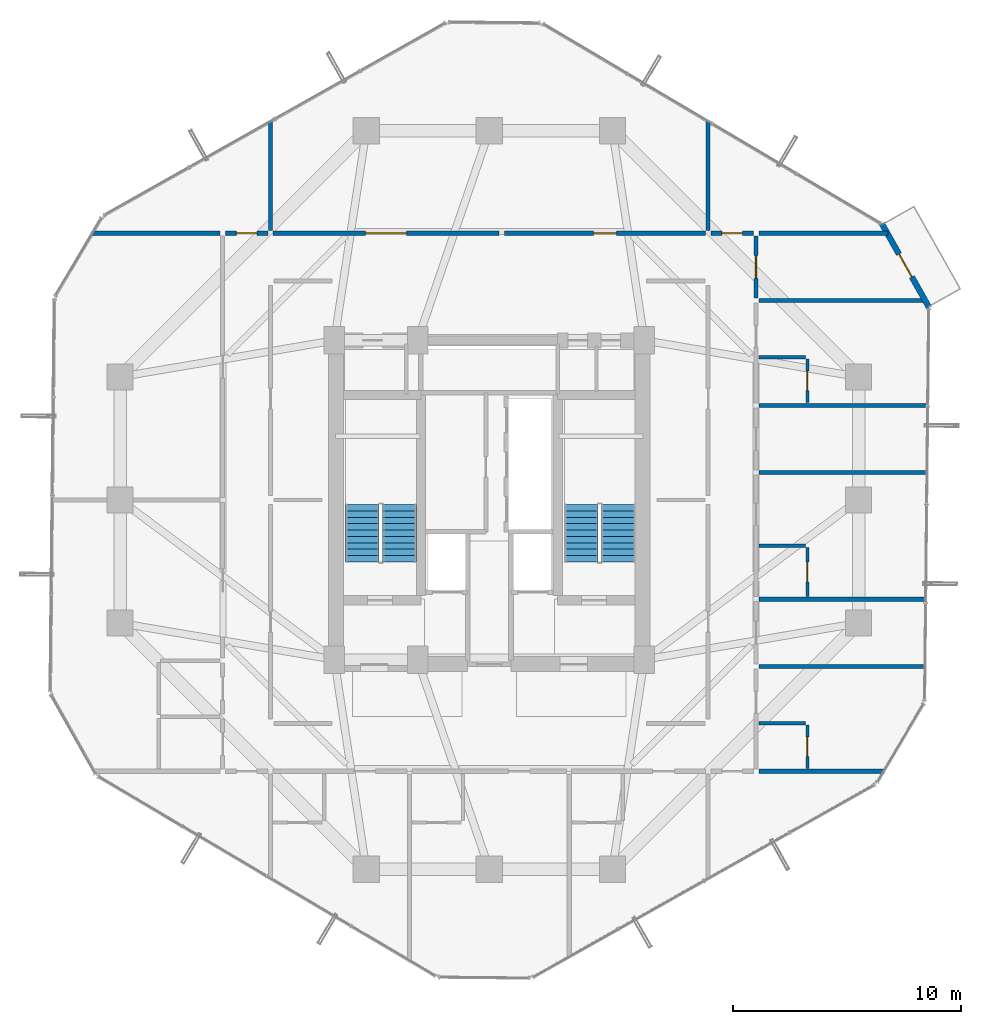
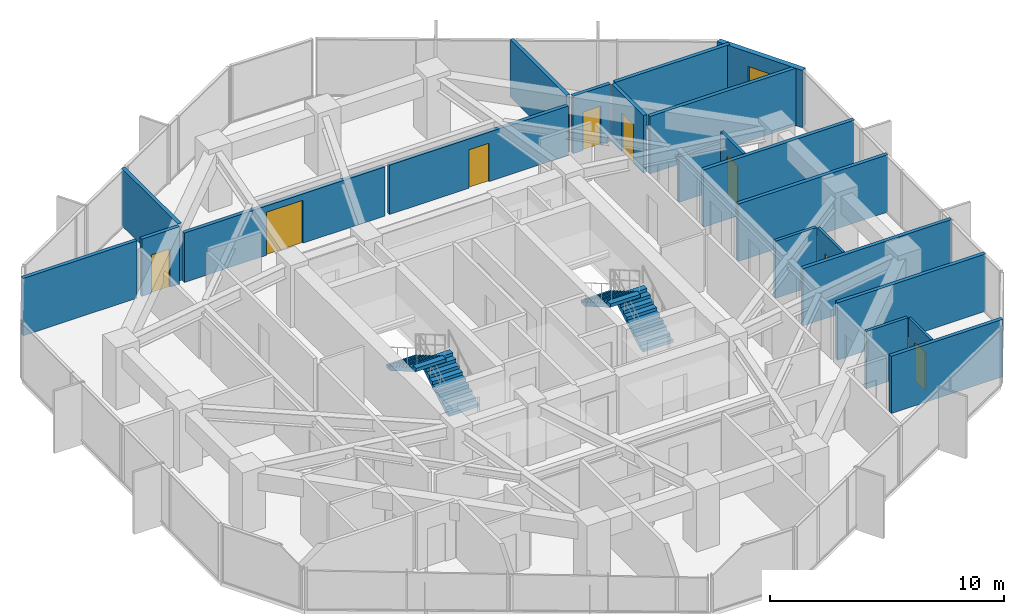
# One storey, part 28 of 30: 22 walls, 9 doors, 4 stair flights, 9 openings, 2 elements without a shape of their own.
"""IFC4 building model written with IfcOpenShell, lengths in metres."""

from ifc_helpers import new_model, si_unit, direction, frame, frame_2d, origin, place, context, subcontext, project, spatial, polyline, rectangle, outline, extrude, source, transform, mapped, material, layer, layer_set, type_object, element, fill, aggregate, save


model = new_model("IFC4")

# Units and contexts
model_context = context("Model", 3, precision=1e-05, world=origin(), true_north=direction((0.0, 1.0)))
body_context = subcontext(model_context, "Body", "Model", "MODEL_VIEW")
ifc_project = project(units=[si_unit("LENGTHUNIT", "METRE"), si_unit("AREAUNIT", "SQUARE_METRE"), si_unit("VOLUMEUNIT", "CUBIC_METRE"), si_unit("PLANEANGLEUNIT", "RADIAN"), si_unit("MASSUNIT", "GRAM", prefix="KILO")], contexts=[model_context])

# Site, building, storey
site_placement = place(None, origin())
site = spatial("IfcSite", under=ifc_project, at=site_placement, CompositionType="ELEMENT")
building_placement = place(site_placement, origin())
building = spatial("IfcBuilding", under=site, at=building_placement, Name="Veraguas Prism Commons", CompositionType="ELEMENT")
storey_placement = place(building_placement, frame((0.0, 0.0, 126.25)))
storey = spatial("IfcBuildingStorey", under=building, at=storey_placement, Name="L35", CompositionType="ELEMENT", Elevation=126.25)

# Walls
ifc_material_1 = material(Name="Autoclaved aerated masonry block 10 MPa", Category="masonry")
ifc_layer_1 = layer(ifc_material_1, 0.179931640625, Name="Corridor and Inter-Tenancy Partition 180", Category="masonry")
ifc_layer_set_1 = layer_set([ifc_layer_1], Name="Autoclaved aerated masonry block 10 MPa")
wall_type_1 = type_object("IfcWallType", Name="Corridor and Inter-Tenancy Partition 180", PredefinedType="PARTITIONING", material=ifc_layer_set_1)
for number, where, z_axis, x_axis, name in (
    (1, (14.39990234375, 35.820068359375, 0.0), (0.0, 0.0, 1.0), (0.0, 1.0, 0.0), "WL-L35-PT014"),
    (2, (33.60009765625, 35.820068359375, 0.0), (0.0, 0.0, 1.0), (0.0, 1.0, 0.0), "WL-L35-PT015"),
):
    element("IfcWall", number, at=place(storey_placement, frame(where, z_axis=z_axis, x_axis=x_axis)), inside=storey, type_object=wall_type_1, Name=name, PredefinedType="PARTITIONING", context=body_context, shape_type="SweptSolid", body=[
        extrude(rectangle(XDim=4.8232421875, YDim=0.179931640625, at=frame_2d((2.41162109375, 0.0))), origin(), (0.0, 0.0, 1.0), 3.0),
    ])

# Wall, opening, door
wall_1_placement = place(storey_placement, frame((14.510009765625, 35.699951171875, 0.0), z_axis=(0.0, 0.0, 1.0), x_axis=(1.0, 0.0, 0.0)))
wall_1 = element("IfcWall", 3, at=wall_1_placement, inside=storey, type_object=wall_type_1, Name="WL-L35-PT016", PredefinedType="PARTITIONING", context=body_context, shape_type="SweptSolid", body=[
    extrude(rectangle(XDim=9.924072265625, YDim=0.179931640625, at=frame_2d((4.9619140625, 0.0))), origin(), (0.0, 0.0, 1.0), 2.580078125),
])
opening_1_placement = place(wall_1_placement, frame((4.06201171875, 0.0, 0.0)))
opening_1 = element("IfcOpeningElement", 4, at=opening_1_placement, cuts=wall_1, Name="Opening DR-07", PredefinedType="OPENING", context=body_context, shape_type="SweptSolid", body=[
    extrude(rectangle(XDim=1.800048828125, YDim=2.25, at=frame_2d((0.89990234375, 1.125))), frame((0.0, 0.099853515625, 0.0), z_axis=(0.0, -1.0, 0.0), x_axis=(1.0, 0.0, 0.0)), (0.0, 0.0, 1.0), 0.199951171875),
])
ifc_material_2 = material(Name="Steel fire-rated door assembly", Category="steel")
door_type_1 = type_object("IfcDoorType", Name="Corridor Double Fire Door 1800x2250", OperationType="NOTDEFINED", PredefinedType="DOOR", material=ifc_material_2)
shared_shape_1 = source(origin(), body_context, "Body", "SweptSolid", [
    extrude(rectangle(XDim=1.800048828125, YDim=2.25, at=frame_2d((0.89990234375, 1.125))), frame((0.0, 0.02490234375, 0.0), z_axis=(0.0, -1.0, 0.0), x_axis=(1.0, 0.0, 0.0)), (0.0, 0.0, 1.0), 0.050048828125),
])
door_1_placement = place(opening_1_placement, origin())
door_1 = element("IfcDoor", 5, at=door_1_placement, inside=storey, type_object=door_type_1, Name="Residents Co-op Library and Reading Hall Door 1", OperationType="SINGLE_SWING_LEFT", OverallHeight=2.25, OverallWidth=1.800048828125, PredefinedType="DOOR", context=body_context, shape_type="MappedRepresentation", body=[
    mapped(shared_shape_1, transform((0.0, 0.0, 0.0), scale=1.0)),
])
fill(opening_1, door_1)

wall_2_placement = place(storey_placement, frame((24.654052734375, 35.699951171875, 0.0), z_axis=(0.0, 0.0, 1.0), x_axis=(1.0, 0.0, 0.0)))
wall_2 = element("IfcWall", 6, at=wall_2_placement, inside=storey, type_object=wall_type_1, Name="WL-L35-PT017", PredefinedType="PARTITIONING", context=body_context, shape_type="SweptSolid", body=[
    extrude(rectangle(XDim=8.8359375, YDim=0.179931640625, at=frame_2d((4.41796875, 0.0))), origin(), (0.0, 0.0, 1.0), 2.580078125),
])
opening_2_placement = place(wall_2_placement, frame((3.91796875, 0.0, 0.0)))
opening_2 = element("IfcOpeningElement", 7, at=opening_2_placement, cuts=wall_2, Name="Opening DR-13", PredefinedType="OPENING", context=body_context, shape_type="SweptSolid", body=[
    extrude(rectangle(XDim=1.0, YDim=2.010009765625, at=frame_2d((0.5, 1.0048828125))), frame((0.0, 0.099853515625, 0.0), z_axis=(0.0, -1.0, 0.0), x_axis=(1.0, 0.0, 0.0)), (0.0, 0.0, 1.0), 0.199951171875),
])
door_type_2 = type_object("IfcDoorType", Name="Core Accessible WC and Clinic Fire Door 1000x2010", OperationType="NOTDEFINED", PredefinedType="DOOR", material=ifc_material_2)
shared_shape_2 = source(origin(), body_context, "Body", "SweptSolid", [
    extrude(rectangle(XDim=1.0, YDim=2.010009765625, at=frame_2d((0.5, 1.0048828125))), frame((0.0, 0.02490234375, 0.0), z_axis=(0.0, -1.0, 0.0), x_axis=(1.0, 0.0, 0.0)), (0.0, 0.0, 1.0), 0.050048828125),
])
door_2_placement = place(opening_2_placement, origin())
door_2 = element("IfcDoor", 8, at=door_2_placement, inside=storey, type_object=door_type_2, Name="Residents Co-op Library and Reading Hall Door 2", OperationType="SINGLE_SWING_RIGHT", OverallHeight=2.010009765625, OverallWidth=1.0, PredefinedType="DOOR", context=body_context, shape_type="MappedRepresentation", body=[
    mapped(shared_shape_2, transform((0.0, 0.0, 0.0), scale=1.0)),
])
fill(opening_2, door_2)

# Walls
wall_3_placement = place(storey_placement, frame((12.179931640625, 35.699951171875, 0.0), z_axis=(0.0, 0.0, 1.0), x_axis=(-1.0, 0.0, 0.0)))
element("IfcWall", 9, at=wall_3_placement, inside=storey, type_object=wall_type_1, Name="WL-L35-PT019", PredefinedType="PARTITIONING", context=body_context, shape_type="SweptSolid", body=[
    extrude(rectangle(XDim=5.63623046875, YDim=0.179931640625, at=frame_2d((2.818115234375, 0.0))), origin(), (0.0, 0.0, 1.0), 3.0),
])
wall_4_placement = place(storey_placement, frame((35.820068359375, 12.10009765625, 0.0), z_axis=(0.0, 0.0, 1.0), x_axis=(1.0, 0.0, 0.0)))
element("IfcWall", 10, at=wall_4_placement, inside=storey, type_object=wall_type_1, Name="WL-L35-PT029", PredefinedType="PARTITIONING", context=body_context, shape_type="SweptSolid", body=[
    extrude(rectangle(XDim=5.517822265625, YDim=0.179931640625, at=frame_2d((2.7587890625, 0.0))), origin(), (0.0, 0.0, 1.0), 3.0),
])
wall_5_placement = place(storey_placement, frame((35.820068359375, 35.699951171875, 0.0), z_axis=(0.0, 0.0, 1.0), x_axis=(1.0, 0.0, 0.0)))
element("IfcWall", 11, at=wall_5_placement, inside=storey, type_object=wall_type_1, Name="WL-L35-PT030", PredefinedType="PARTITIONING", context=body_context, shape_type="SweptSolid", body=[
    extrude(rectangle(XDim=5.669921875, YDim=0.179931640625, at=frame_2d((2.8349609375, 0.0))), origin(), (0.0, 0.0, 1.0), 3.0),
])
wall_6_placement = place(storey_placement, frame((35.820068359375, 16.697998046875, 0.0), z_axis=(0.0, 0.0, 1.0), x_axis=(1.0, 0.0, 0.0)))
element("IfcWall", 12, at=wall_6_placement, inside=storey, type_object=wall_type_1, Name="WL-L35-PT032", PredefinedType="PARTITIONING", context=body_context, shape_type="SweptSolid", body=[
    extrude(rectangle(XDim=7.31689453125, YDim=0.179931640625, at=frame_2d((3.658447265625, 0.0))), origin(), (0.0, 0.0, 1.0), 3.0),
])
wall_7_placement = place(storey_placement, frame((35.820068359375, 19.64794921875, 0.0), z_axis=(0.0, 0.0, 1.0), x_axis=(1.0, 0.0, 0.0)))
element("IfcWall", 13, at=wall_7_placement, inside=storey, type_object=wall_type_1, Name="WL-L35-PT036", PredefinedType="PARTITIONING", context=body_context, shape_type="SweptSolid", body=[
    extrude(rectangle(XDim=7.347900390625, YDim=0.179931640625, at=frame_2d((3.673828125, 0.0))), origin(), (0.0, 0.0, 1.0), 3.0),
])
wall_8_placement = place(storey_placement, frame((35.820068359375, 25.201904296875, 0.0), z_axis=(0.0, 0.0, 1.0), x_axis=(1.0, 0.0, 0.0)))
element("IfcWall", 14, at=wall_8_placement, inside=storey, type_object=wall_type_1, Name="WL-L35-PT038", PredefinedType="PARTITIONING", context=body_context, shape_type="SweptSolid", body=[
    extrude(rectangle(XDim=7.406005859375, YDim=0.179931640625, at=frame_2d((3.703125, 0.0))), origin(), (0.0, 0.0, 1.0), 3.0),
])
wall_9_placement = place(storey_placement, frame((35.820068359375, 28.152099609375, 0.0), z_axis=(0.0, 0.0, 1.0), x_axis=(1.0, 0.0, 0.0)))
element("IfcWall", 15, at=wall_9_placement, inside=storey, type_object=wall_type_1, Name="WL-L35-PT042", PredefinedType="PARTITIONING", context=body_context, shape_type="SweptSolid", body=[
    extrude(rectangle(XDim=7.43701171875, YDim=0.179931640625, at=frame_2d((3.718505859375, 0.0))), origin(), (0.0, 0.0, 1.0), 3.0),
])

# Wall, opening, door
wall_10_placement = place(storey_placement, frame((35.699951171875, 32.860107421875, 0.0), z_axis=(0.0, 0.0, 1.0), x_axis=(0.0, 1.0, 0.0)))
wall_10 = element("IfcWall", 16, at=wall_10_placement, inside=storey, type_object=wall_type_1, Name="WL-L35-PT043", PredefinedType="PARTITIONING", context=body_context, shape_type="SweptSolid", body=[
    extrude(rectangle(XDim=2.72998046875, YDim=0.179931640625, at=frame_2d((1.364990234375, 0.0))), origin(), (0.0, 0.0, 1.0), 3.0),
])
opening_3_placement = place(wall_10_placement, frame((0.864990234375, 0.0, 0.0)))
opening_3 = element("IfcOpeningElement", 17, at=opening_3_placement, cuts=wall_10, Name="Opening DR-13", PredefinedType="OPENING", context=body_context, shape_type="SweptSolid", body=[
    extrude(rectangle(XDim=1.0, YDim=2.010009765625, at=frame_2d((0.5, 1.0048828125))), frame((0.0, 0.099853515625, 0.0), z_axis=(0.0, -1.0, 0.0), x_axis=(1.0, 0.0, 0.0)), (0.0, 0.0, 1.0), 0.199951171875),
])
door_3_placement = place(opening_3_placement, origin())
door_3 = element("IfcDoor", 18, at=door_3_placement, inside=storey, type_object=door_type_2, Name="Quiet Study E Door", OperationType="SINGLE_SWING_LEFT", OverallHeight=2.010009765625, OverallWidth=1.0, PredefinedType="DOOR", context=body_context, shape_type="MappedRepresentation", body=[
    mapped(shared_shape_2, transform((0.0, 0.0, 0.0), scale=1.0)),
])
fill(opening_3, door_3)

# Wall
wall_11_placement = place(storey_placement, frame((35.820068359375, 32.75, 0.0), z_axis=(0.0, 0.0, 1.0), x_axis=(1.0, 0.0, 0.0)))
element("IfcWall", 19, at=wall_11_placement, inside=storey, type_object=wall_type_1, Name="WL-L35-PT044", PredefinedType="PARTITIONING", context=body_context, shape_type="SweptSolid", body=[
    extrude(rectangle(XDim=7.33203125, YDim=0.179931640625, at=frame_2d((3.666015625, 0.0))), origin(), (0.0, 0.0, 1.0), 3.0),
])

# Wall, opening, door
wall_12_placement = place(storey_placement, frame((12.419921875, 35.699951171875, 0.0), z_axis=(0.0, 0.0, 1.0), x_axis=(1.0, 0.0, 0.0)))
wall_12 = element("IfcWall", 20, at=wall_12_placement, inside=storey, type_object=wall_type_1, Name="WL-L35-PT050", PredefinedType="PARTITIONING", context=body_context, shape_type="SweptSolid", body=[
    extrude(rectangle(XDim=1.860107421875, YDim=0.179931640625, at=frame_2d((0.93017578125, 0.0))), origin(), (0.0, 0.0, 1.0), 3.0),
])
opening_4_placement = place(wall_12_placement, frame((0.47998046875, 0.0, 0.0)))
opening_4 = element("IfcOpeningElement", 21, at=opening_4_placement, cuts=wall_12, Name="Opening DR-14", PredefinedType="OPENING", context=body_context, shape_type="SweptSolid", body=[
    extrude(rectangle(XDim=0.89990234375, YDim=2.010009765625, at=frame_2d((0.449951171875, 1.0048828125))), frame((0.0, 0.099853515625, 0.0), z_axis=(0.0, -1.0, 0.0), x_axis=(1.0, 0.0, 0.0)), (0.0, 0.0, 1.0), 0.199951171875),
])
door_type_3 = type_object("IfcDoorType", Name="Core Service Room Fire Door 900x2010", OperationType="NOTDEFINED", PredefinedType="DOOR", material=ifc_material_2)
shared_shape_3 = source(origin(), body_context, "Body", "SweptSolid", [
    extrude(rectangle(XDim=0.89990234375, YDim=2.010009765625, at=frame_2d((0.449951171875, 1.0048828125))), frame((0.0, 0.02490234375, 0.0), z_axis=(0.0, -1.0, 0.0), x_axis=(1.0, 0.0, 0.0)), (0.0, 0.0, 1.0), 0.050048828125),
])
door_4_placement = place(opening_4_placement, origin())
door_4 = element("IfcDoor", 22, at=door_4_placement, inside=storey, type_object=door_type_3, Name="Residents Cycle and Pram Store NW Door", OperationType="SINGLE_SWING_RIGHT", OverallHeight=2.010009765625, OverallWidth=0.89990234375, PredefinedType="DOOR", context=body_context, shape_type="MappedRepresentation", body=[
    mapped(shared_shape_3, transform((0.0, 0.0, 0.0), scale=1.0)),
])
fill(opening_4, door_4)

wall_13_placement = place(storey_placement, frame((33.719970703125, 35.699951171875, 0.0), z_axis=(0.0, 0.0, 1.0), x_axis=(1.0, 0.0, 0.0)))
wall_13 = element("IfcWall", 23, at=wall_13_placement, inside=storey, type_object=wall_type_1, Name="WL-L35-PT051", PredefinedType="PARTITIONING", context=body_context, shape_type="SweptSolid", body=[
    extrude(rectangle(XDim=1.860107421875, YDim=0.179931640625, at=frame_2d((0.93017578125, 0.0))), origin(), (0.0, 0.0, 1.0), 3.0),
])
opening_5_placement = place(wall_13_placement, frame((0.47998046875, 0.0, 0.0)))
opening_5 = element("IfcOpeningElement", 24, at=opening_5_placement, cuts=wall_13, Name="Opening DR-14", PredefinedType="OPENING", context=body_context, shape_type="SweptSolid", body=[
    extrude(rectangle(XDim=0.89990234375, YDim=2.010009765625, at=frame_2d((0.449951171875, 1.0048828125))), frame((0.0, 0.099853515625, 0.0), z_axis=(0.0, -1.0, 0.0), x_axis=(1.0, 0.0, 0.0)), (0.0, 0.0, 1.0), 0.199951171875),
])
door_5_placement = place(opening_5_placement, origin())
door_5 = element("IfcDoor", 25, at=door_5_placement, inside=storey, type_object=door_type_3, Name="Residents Corner Study Room NE Door", OperationType="SINGLE_SWING_LEFT", OverallHeight=2.010009765625, OverallWidth=0.89990234375, PredefinedType="DOOR", context=body_context, shape_type="MappedRepresentation", body=[
    mapped(shared_shape_3, transform((0.0, 0.0, 0.0), scale=1.0)),
])
fill(opening_5, door_5)

ifc_material_3 = material(Name="Precast concrete C40/50", Category="concrete")
ifc_layer_2 = layer(ifc_material_3, 0.25, Name="External Loggia and Portal Wall 250", Category="concrete")
ifc_layer_set_2 = layer_set([ifc_layer_2], Name="Precast concrete C40/50")
wall_type_2 = type_object("IfcWallType", Name="External Loggia and Portal Wall 250", PredefinedType="SOLIDWALL", material=ifc_layer_set_2)
wall_14_placement = place(storey_placement, frame((43.2919921875, 32.44091796875, 0.0), z_axis=(0.0, 0.0, 1.0), x_axis=(-0.490912790658, 0.871208718947, 0.0)))
wall_14 = element("IfcWall", 26, at=wall_14_placement, inside=storey, type_object=wall_type_2, Name="Corner Loggia Wall L35-C1", PredefinedType="SOLIDWALL", context=body_context, shape_type="SweptSolid", body=[
    extrude(rectangle(XDim=4.233154296875, YDim=0.25, at=frame_2d((2.11669921875, 0.0))), origin(), (0.0, 0.0, 1.0), 3.0),
])
opening_6_placement = place(wall_14_placement, frame((1.5419921875, 0.0, 0.0)))
opening_6 = element("IfcOpeningElement", 27, at=opening_6_placement, cuts=wall_14, Name="Opening DR-10", PredefinedType="OPENING", context=body_context, shape_type="SweptSolid", body=[
    extrude(rectangle(XDim=1.14990234375, YDim=2.25, at=frame_2d((0.574951171875, 1.125))), frame((0.0, 0.135009765625, 0.0), z_axis=(0.0, -1.0, 0.0), x_axis=(1.0, 0.0, 0.0)), (0.0, 0.0, 1.0), 0.27001953125),
])
ifc_material_4 = material(Name="Anodised aluminium EN AW-6063 T6", Category="aluminium")
door_type_4 = type_object("IfcDoorType", Name="Glazed Loggia and Terrace Door 1150x2250", OperationType="NOTDEFINED", PredefinedType="DOOR", material=ifc_material_4)
shared_shape_4 = source(origin(), body_context, "Body", "SweptSolid", [
    extrude(rectangle(XDim=1.14990234375, YDim=2.25, at=frame_2d((0.574951171875, 1.125))), frame((0.0, 0.02490234375, 0.0), z_axis=(0.0, -1.0, 0.0), x_axis=(1.0, 0.0, 0.0)), (0.0, 0.0, 1.0), 0.050048828125),
])
door_6_placement = place(opening_6_placement, frame((1.14990234375, 0.0, 0.0), z_axis=(0.0, 0.0, 1.0), x_axis=(-1.0, 0.0, 0.0)))
door_6 = element("IfcDoor", 28, at=door_6_placement, inside=storey, type_object=door_type_4, Name="Recessed Loggia Door L35-C1", OperationType="SINGLE_SWING_LEFT", OverallHeight=2.25, OverallWidth=1.14990234375, PredefinedType="DOOR", context=body_context, shape_type="MappedRepresentation", body=[
    mapped(shared_shape_4, transform((0.0, 0.0, 0.0), scale=1.0)),
])
fill(opening_6, door_6)

ifc_material_5 = material(Name="Lightweight acoustic gypsum board")
ifc_layer_3 = layer(ifc_material_5, 0.125, Name="Internal Apartment Room Partition 125")
ifc_layer_set_3 = layer_set([ifc_layer_3], Name="Lightweight acoustic gypsum board")
wall_type_3 = type_object("IfcWallType", Name="Internal Apartment Room Partition 125", PredefinedType="PARTITIONING", material=ifc_layer_set_3)
wall_15_placement = place(storey_placement, frame((37.949951171875, 12.219970703125, 0.0), z_axis=(0.0, 0.0, 1.0), x_axis=(0.0, 1.0, 0.0)))
wall_15 = element("IfcWall", 29, at=wall_15_placement, inside=storey, type_object=wall_type_3, Name="WL-L35-PT035", PredefinedType="PARTITIONING", context=body_context, shape_type="SweptSolid", body=[
    extrude(rectangle(XDim=1.9150390625, YDim=0.125, at=frame_2d((0.95751953125, 0.0))), origin(), (0.0, 0.0, 1.0), 3.0),
])
opening_7_placement = place(wall_15_placement, frame((0.527587890625, 0.0, 0.0)))
opening_7 = element("IfcOpeningElement", 30, at=opening_7_placement, cuts=wall_15, Name="Opening DR-03", PredefinedType="OPENING", context=body_context, shape_type="SweptSolid", body=[
    extrude(rectangle(XDim=0.860107421875, YDim=2.010009765625, at=frame_2d((0.43017578125, 1.0048828125))), frame((0.0, 0.072509765625, 0.0), z_axis=(0.0, -1.0, 0.0), x_axis=(1.0, 0.0, 0.0)), (0.0, 0.0, 1.0), 0.14501953125),
])
ifc_material_6 = material(Name="Timber moisture-resistant leaf", Category="wood")
door_type_5 = type_object("IfcDoorType", Name="Internal Bathroom Door 860x2010", OperationType="NOTDEFINED", PredefinedType="DOOR", material=ifc_material_6)
shared_shape_5 = source(origin(), body_context, "Body", "SweptSolid", [
    extrude(rectangle(XDim=0.860107421875, YDim=2.010009765625, at=frame_2d((0.43017578125, 1.0048828125))), frame((0.0, 0.02490234375, 0.0), z_axis=(0.0, -1.0, 0.0), x_axis=(1.0, 0.0, 0.0)), (0.0, 0.0, 1.0), 0.050048828125),
])
door_7_placement = place(opening_7_placement, origin())
door_7 = element("IfcDoor", 31, at=door_7_placement, inside=storey, type_object=door_type_5, Name="Studio 35D Bathroom Door", OperationType="SINGLE_SWING_LEFT", OverallHeight=2.010009765625, OverallWidth=0.860107421875, PredefinedType="DOOR", context=body_context, shape_type="MappedRepresentation", body=[
    mapped(shared_shape_5, transform((0.0, 0.0, 0.0), scale=1.0)),
])
fill(opening_7, door_7)

wall_16_placement = place(storey_placement, frame((37.949951171875, 19.76806640625, 0.0), z_axis=(0.0, 0.0, 1.0), x_axis=(0.0, 1.0, 0.0)))
wall_16 = element("IfcWall", 32, at=wall_16_placement, inside=storey, type_object=wall_type_3, Name="WL-L35-PT041", PredefinedType="PARTITIONING", context=body_context, shape_type="SweptSolid", body=[
    extrude(rectangle(XDim=2.14990234375, YDim=0.125, at=frame_2d((1.074951171875, 0.0))), origin(), (0.0, 0.0, 1.0), 3.0),
])
opening_8_placement = place(wall_16_placement, frame((0.64501953125, 0.0, 0.0)))
opening_8 = element("IfcOpeningElement", 33, at=opening_8_placement, cuts=wall_16, Name="Opening DR-03", PredefinedType="OPENING", context=body_context, shape_type="SweptSolid", body=[
    extrude(rectangle(XDim=0.860107421875, YDim=2.010009765625, at=frame_2d((0.43017578125, 1.0048828125))), frame((0.0, 0.072509765625, 0.0), z_axis=(0.0, -1.0, 0.0), x_axis=(1.0, 0.0, 0.0)), (0.0, 0.0, 1.0), 0.14501953125),
])
door_8_placement = place(opening_8_placement, origin())
door_8 = element("IfcDoor", 34, at=door_8_placement, inside=storey, type_object=door_type_5, Name="Studio 35E Bathroom Door", OperationType="SINGLE_SWING_RIGHT", OverallHeight=2.010009765625, OverallWidth=0.860107421875, PredefinedType="DOOR", context=body_context, shape_type="MappedRepresentation", body=[
    mapped(shared_shape_5, transform((0.0, 0.0, 0.0), scale=1.0)),
])
fill(opening_8, door_8)

wall_17_placement = place(storey_placement, frame((37.949951171875, 28.27197265625, 0.0), z_axis=(0.0, 0.0, 1.0), x_axis=(0.0, 1.0, 0.0)))
wall_17 = element("IfcWall", 35, at=wall_17_placement, inside=storey, type_object=wall_type_3, Name="WL-L35-PT047", PredefinedType="PARTITIONING", context=body_context, shape_type="SweptSolid", body=[
    extrude(rectangle(XDim=1.9150390625, YDim=0.125, at=frame_2d((0.95751953125, 0.0))), origin(), (0.0, 0.0, 1.0), 3.0),
])
opening_9_placement = place(wall_17_placement, frame((0.527587890625, 0.0, 0.0)))
opening_9 = element("IfcOpeningElement", 36, at=opening_9_placement, cuts=wall_17, Name="Opening DR-03", PredefinedType="OPENING", context=body_context, shape_type="SweptSolid", body=[
    extrude(rectangle(XDim=0.860107421875, YDim=2.010009765625, at=frame_2d((0.43017578125, 1.0048828125))), frame((0.0, 0.072509765625, 0.0), z_axis=(0.0, -1.0, 0.0), x_axis=(1.0, 0.0, 0.0)), (0.0, 0.0, 1.0), 0.14501953125),
])
door_9_placement = place(opening_9_placement, origin())
door_9 = element("IfcDoor", 37, at=door_9_placement, inside=storey, type_object=door_type_5, Name="Studio 35F Bathroom Door", OperationType="SINGLE_SWING_LEFT", OverallHeight=2.010009765625, OverallWidth=0.860107421875, PredefinedType="DOOR", context=body_context, shape_type="MappedRepresentation", body=[
    mapped(shared_shape_5, transform((0.0, 0.0, 0.0), scale=1.0)),
])
fill(opening_9, door_9)

# Walls
ifc_layer_4 = layer(ifc_material_5, 0.14990234375, Name="Wet Room and Clinic Acoustic Partition 150")
ifc_layer_set_4 = layer_set([ifc_layer_4], Name="Lightweight acoustic gypsum board")
wall_type_4 = type_object("IfcWallType", Name="Wet Room and Clinic Acoustic Partition 150", PredefinedType="PARTITIONING", material=ifc_layer_set_4)
for number, where, z_axis, x_axis, name in (
    (38, (35.820068359375, 14.215087890625, 0.0), (0.0, 0.0, 1.0), (1.0, 0.0, 0.0), "WL-L35-PT034"),
    (39, (35.820068359375, 21.998046875, 0.0), (0.0, 0.0, 1.0), (1.0, 0.0, 0.0), "WL-L35-PT040"),
):
    element("IfcWall", number, at=place(storey_placement, frame(where, z_axis=z_axis, x_axis=x_axis)), inside=storey, type_object=wall_type_4, Name=name, PredefinedType="PARTITIONING", context=body_context, shape_type="SweptSolid", body=[
        extrude(rectangle(XDim=2.050048828125, YDim=0.14990234375, at=frame_2d((1.02490234375, 0.0))), origin(), (0.0, 0.0, 1.0), 3.0),
    ])
wall_18_placement = place(storey_placement, frame((35.820068359375, 30.26708984375, 0.0), z_axis=(0.0, 0.0, 1.0), x_axis=(1.0, 0.0, 0.0)))
element("IfcWall", 40, at=wall_18_placement, inside=storey, type_object=wall_type_4, Name="WL-L35-PT046", PredefinedType="PARTITIONING", context=body_context, shape_type="SweptSolid", body=[
    extrude(rectangle(XDim=2.050048828125, YDim=0.14990234375, at=frame_2d((1.02490234375, 0.0))), origin(), (0.0, 0.0, 1.0), 2.3779296875),
])

# Stair, stair flights
ifc_material_7 = material(Name="Precast concrete C45/55", Category="concrete")
stair_type = type_object("IfcStairType", Name="Dogleg Core Stair 1480W 20R 05", PredefinedType="HALF_TURN_STAIR", material=ifc_material_7)
stair_1_placement = place(storey_placement, origin())
stair_1 = element("IfcStair", 41, at=stair_1_placement, inside=storey, type_object=stair_type, Name="Protected Exit Stair ST-01 L35", PredefinedType="HALF_TURN_STAIR")
stair_flight_type = type_object("IfcStairFlightType", Name="Precast Stair Flight 1480W 10R 05", PredefinedType="STRAIGHT", material=ifc_material_7)
stair_flight_1_placement = place(storey_placement, frame((20.06005859375, 21.280029296875, 0.0), z_axis=(0.0, 0.0, 1.0), x_axis=(0.0, 1.0, 0.0)))
stair_flight_1 = element("IfcStairFlight", 42, at=stair_flight_1_placement, type_object=stair_flight_type, Name="ST-05 Flight 1", NumberOfRisers=10, NumberOfTreads=9, PredefinedType="STRAIGHT", RiserHeight=0.1625, TreadLength=0.28, context=body_context, shape_type="SweptSolid", body=[
    extrude(outline(polyline([(0.0, 0.0), (0.0, 0.16259765625), (0.280029296875, 0.16259765625), (0.280029296875, 0.324951171875), (0.56005859375, 0.324951171875), (0.56005859375, 0.487548828125), (0.840087890625, 0.487548828125), (0.840087890625, 0.64990234375), (1.1201171875, 0.64990234375), (1.1201171875, 0.8125), (1.39990234375, 0.8125), (1.39990234375, 0.97509765625), (1.679931640625, 0.97509765625), (1.679931640625, 1.137451171875), (1.9599609375, 1.137451171875), (1.9599609375, 1.300048828125), (2.239990234375, 1.300048828125), (2.239990234375, 1.46240234375), (2.52001953125, 1.46240234375), (2.52001953125, 1.625), (2.52001953125, 1.2890625), (0.298583984375, 0.0), (0.0, 0.0)])), frame((0.0, 0.739990234375, 0.0), z_axis=(0.0, -1.0, 0.0), x_axis=(1.0, 0.0, 0.0)), (0.0, 0.0, 1.0), 1.47998046875),
])
stair_flight_2_placement = place(storey_placement, frame((18.429931640625, 23.800048828125, 1.625), z_axis=(0.0, 0.0, 1.0), x_axis=(0.0, -1.0, 0.0)))
stair_flight_2 = element("IfcStairFlight", 43, at=stair_flight_2_placement, type_object=stair_flight_type, Name="ST-05 Flight 2", NumberOfRisers=10, NumberOfTreads=9, PredefinedType="STRAIGHT", RiserHeight=0.1625, TreadLength=0.28, context=body_context, shape_type="SweptSolid", body=[
    extrude(outline(polyline([(0.0, 0.0), (0.0, 0.16259765625), (0.280029296875, 0.16259765625), (0.280029296875, 0.324951171875), (0.56005859375, 0.324951171875), (0.56005859375, 0.487548828125), (0.840087890625, 0.487548828125), (0.840087890625, 0.64990234375), (1.1201171875, 0.64990234375), (1.1201171875, 0.8125), (1.39990234375, 0.8125), (1.39990234375, 0.97509765625), (1.679931640625, 0.97509765625), (1.679931640625, 1.137451171875), (1.9599609375, 1.137451171875), (1.9599609375, 1.300048828125), (2.239990234375, 1.300048828125), (2.239990234375, 1.46240234375), (2.52001953125, 1.46240234375), (2.52001953125, 1.625), (2.52001953125, 1.2890625), (0.298583984375, 0.0), (0.0, 0.0)])), frame((0.0, 0.739990234375, 0.0), z_axis=(0.0, -1.0, 0.0), x_axis=(1.0, 0.0, 0.0)), (0.0, 0.0, 1.0), 1.47998046875),
])
aggregate(stair_1, [stair_flight_1, stair_flight_2])

stair_2_placement = place(storey_placement, origin())
stair_2 = element("IfcStair", 44, at=stair_2_placement, inside=storey, type_object=stair_type, Name="Protected Exit Stair ST-02 L35", PredefinedType="HALF_TURN_STAIR")
stair_flight_3_placement = place(storey_placement, frame((29.659912109375, 21.280029296875, 0.0), z_axis=(0.0, 0.0, 1.0), x_axis=(0.0, 1.0, 0.0)))
stair_flight_3 = element("IfcStairFlight", 45, at=stair_flight_3_placement, type_object=stair_flight_type, Name="ST-05 Flight 1", NumberOfRisers=10, NumberOfTreads=9, PredefinedType="STRAIGHT", RiserHeight=0.1625, TreadLength=0.28, context=body_context, shape_type="SweptSolid", body=[
    extrude(outline(polyline([(0.0, 0.0), (0.0, 0.16259765625), (0.280029296875, 0.16259765625), (0.280029296875, 0.324951171875), (0.56005859375, 0.324951171875), (0.56005859375, 0.487548828125), (0.840087890625, 0.487548828125), (0.840087890625, 0.64990234375), (1.1201171875, 0.64990234375), (1.1201171875, 0.8125), (1.39990234375, 0.8125), (1.39990234375, 0.97509765625), (1.679931640625, 0.97509765625), (1.679931640625, 1.137451171875), (1.9599609375, 1.137451171875), (1.9599609375, 1.300048828125), (2.239990234375, 1.300048828125), (2.239990234375, 1.46240234375), (2.52001953125, 1.46240234375), (2.52001953125, 1.625), (2.52001953125, 1.2890625), (0.298583984375, 0.0), (0.0, 0.0)])), frame((0.0, 0.739990234375, 0.0), z_axis=(0.0, -1.0, 0.0), x_axis=(1.0, 0.0, 0.0)), (0.0, 0.0, 1.0), 1.47998046875),
])
stair_flight_4_placement = place(storey_placement, frame((28.030029296875, 23.800048828125, 1.625), z_axis=(0.0, 0.0, 1.0), x_axis=(0.0, -1.0, 0.0)))
stair_flight_4 = element("IfcStairFlight", 46, at=stair_flight_4_placement, type_object=stair_flight_type, Name="ST-05 Flight 2", NumberOfRisers=10, NumberOfTreads=9, PredefinedType="STRAIGHT", RiserHeight=0.1625, TreadLength=0.28, context=body_context, shape_type="SweptSolid", body=[
    extrude(outline(polyline([(0.0, 0.0), (0.0, 0.16259765625), (0.280029296875, 0.16259765625), (0.280029296875, 0.324951171875), (0.56005859375, 0.324951171875), (0.56005859375, 0.487548828125), (0.840087890625, 0.487548828125), (0.840087890625, 0.64990234375), (1.1201171875, 0.64990234375), (1.1201171875, 0.8125), (1.39990234375, 0.8125), (1.39990234375, 0.97509765625), (1.679931640625, 0.97509765625), (1.679931640625, 1.137451171875), (1.9599609375, 1.137451171875), (1.9599609375, 1.300048828125), (2.239990234375, 1.300048828125), (2.239990234375, 1.46240234375), (2.52001953125, 1.46240234375), (2.52001953125, 1.625), (2.52001953125, 1.2890625), (0.298583984375, 0.0), (0.0, 0.0)])), frame((0.0, 0.739990234375, 0.0), z_axis=(0.0, -1.0, 0.0), x_axis=(1.0, 0.0, 0.0)), (0.0, 0.0, 1.0), 1.47998046875),
])
aggregate(stair_2, [stair_flight_3, stair_flight_4])

save(model, "model.ifc")
